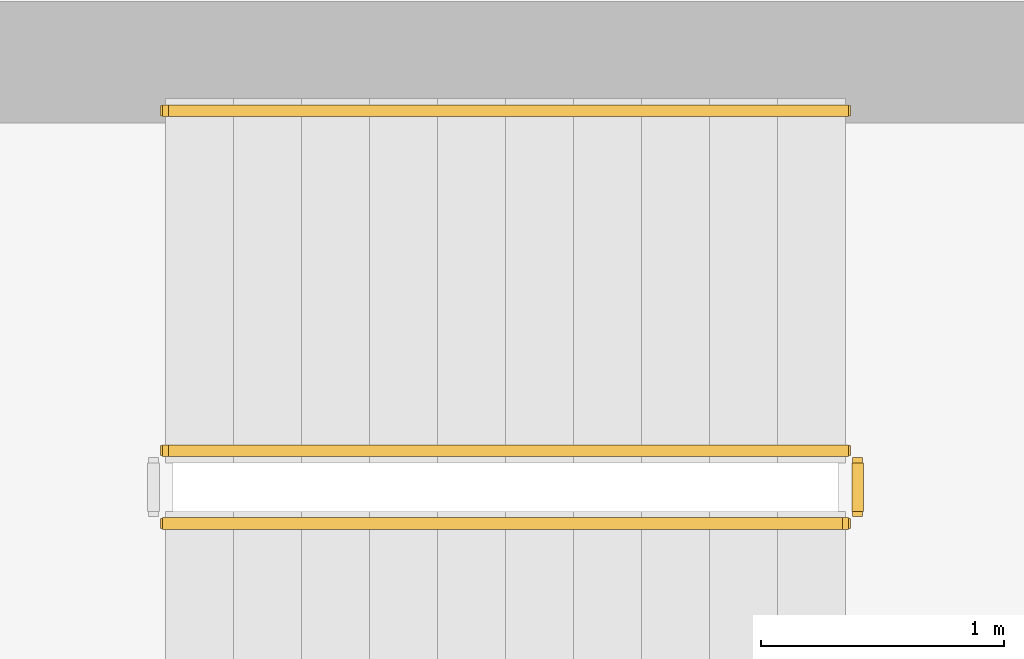
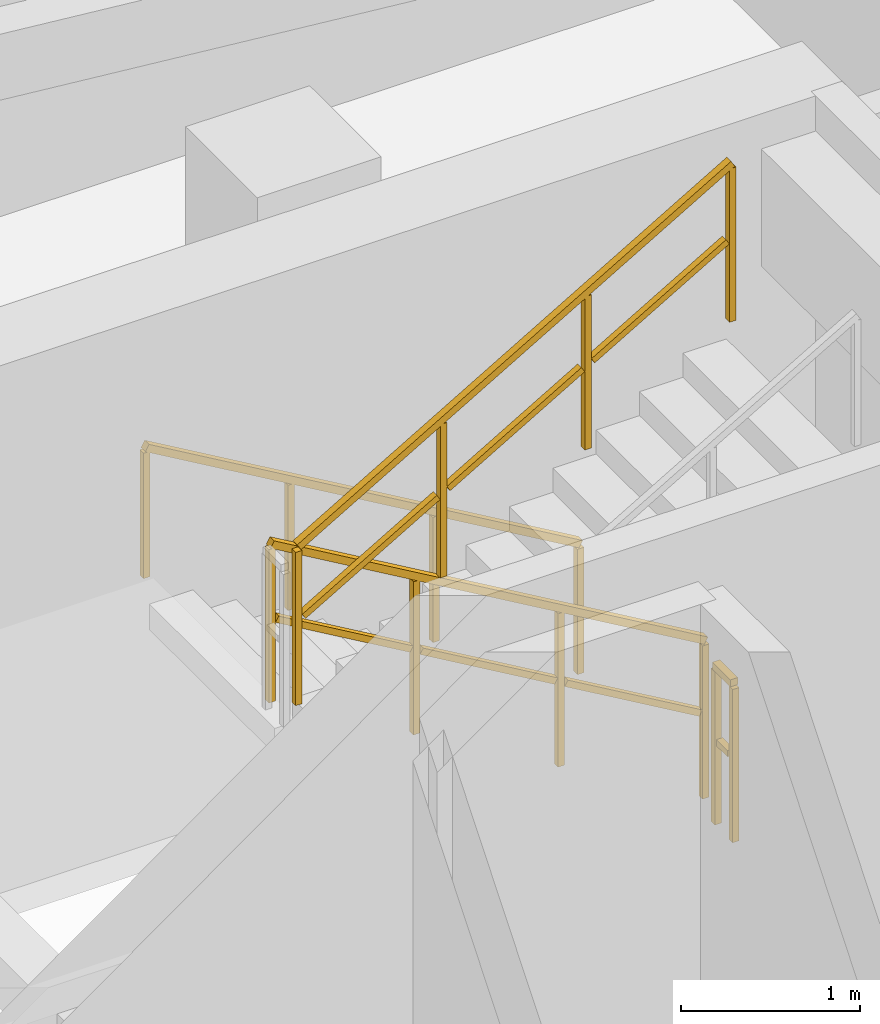
# One storey, part 32 of 34: 4 railings.
"""IFC4 building model written with IfcOpenShell, lengths in metres."""

from ifc_helpers import new_model, si_unit, direction, frame, origin, origin_2d, place, context, subcontext, project, spatial, rectangle, extrude, material, type_object, element, save


model = new_model("IFC4")

# Units and contexts
model_context = context("Model", 3, precision=1e-05, world=origin(), true_north=direction((0.0, 1.0)))
body_context = subcontext(model_context, "Body", "Model", "MODEL_VIEW")
ifc_project = project(units=[si_unit("LENGTHUNIT", "METRE"), si_unit("AREAUNIT", "SQUARE_METRE"), si_unit("VOLUMEUNIT", "CUBIC_METRE"), si_unit("PLANEANGLEUNIT", "RADIAN"), si_unit("MASSUNIT", "GRAM", prefix="KILO")], contexts=[model_context])

# Site, building, storey
site_placement = place(None, origin())
site = spatial("IfcSite", under=ifc_project, at=site_placement, CompositionType="ELEMENT")
building_placement = place(site_placement, origin())
building = spatial("IfcBuilding", under=site, at=building_placement, Name="Thornwick Lancets Civic Towers", CompositionType="ELEMENT")
storey_placement = place(building_placement, frame((0.0, 0.0, 258.300048828125)))
storey = spatial("IfcBuildingStorey", under=building, at=storey_placement, Name="L69", CompositionType="ELEMENT", Elevation=258.300048828125)

# Railings
ifc_material_1 = material(Name="Brushed stainless steel S355", Category="steel")
railing_type_1 = type_object("IfcRailingType", Name="RAIL_HANDRAIL", PredefinedType="HANDRAIL", material=ifc_material_1)
railing_1_placement = place(storey_placement, frame((31.60009765625, 38.949951171875, 0.16357421875)))
element("IfcRailing", 1, at=railing_1_placement, inside=storey, type_object=railing_type_1, Name="L69 ST-A2 stair handrail 1", PredefinedType="HANDRAIL", context=body_context, shape_type="SweptSolid", body=[
    extrude(rectangle(XDim=0.048095703125, YDim=0.048095703125, at=origin_2d()), frame((0.0, 0.0, 0.8857421875), z_axis=(-0.863360870873, 0.0, 0.504586966384), x_axis=(0.0, -1.0, 0.0)), (0.0, 0.0, 1.0), 3.2431640625),
    extrude(rectangle(XDim=0.0419921875, YDim=0.0419921875, at=origin_2d()), origin(), (0.0, 0.0, 1.0), 0.855712890625),
    extrude(rectangle(XDim=0.0419921875, YDim=0.0419921875, at=origin_2d()), frame((-0.933349609375, 0.0, 0.54541015625)), (0.0, 0.0, 1.0), 0.855712890625),
    extrude(rectangle(XDim=0.0419921875, YDim=0.0419921875, at=origin_2d()), frame((-1.86669921875, 0.0, 1.091064453125)), (0.0, 0.0, 1.0), 0.855712890625),
    extrude(rectangle(XDim=0.0419921875, YDim=0.0419921875, at=origin_2d()), frame((-2.800048828125, 0.0, 1.636474609375)), (0.0, 0.0, 1.0), 0.855712890625),
])
ifc_material_2 = material(Name="Steel S355JR", Category="steel")
railing_type_2 = type_object("IfcRailingType", Name="RAIL_STAIR_GUARD", PredefinedType="GUARDRAIL", material=ifc_material_2)
railing_2_placement = place(storey_placement, frame((31.60009765625, 37.550048828125, 0.16357421875)))
element("IfcRailing", 2, at=railing_2_placement, inside=storey, type_object=railing_type_2, Name="L69 ST-A2 stair guard 1", PredefinedType="GUARDRAIL", context=body_context, shape_type="SweptSolid", body=[
    extrude(rectangle(XDim=0.048095703125, YDim=0.048095703125, at=origin_2d()), frame((0.0, 0.0, 1.076171875), z_axis=(-0.863360870873, 0.0, 0.504586966384), x_axis=(0.0, -1.0, 0.0)), (0.0, 0.0, 1.0), 3.2431640625),
    extrude(rectangle(XDim=0.0419921875, YDim=0.0419921875, at=origin_2d()), frame((-0.032470703125, 0.0, 0.591064453125), z_axis=(-0.863360870873, 0.0, 0.504586966384), x_axis=(0.0, -1.0, 0.0)), (0.0, 0.0, 1.0), 1.006103515625),
    extrude(rectangle(XDim=0.0419921875, YDim=0.0419921875, at=origin_2d()), frame((-0.9658203125, 0.0, 1.136474609375), z_axis=(-0.863360870873, 0.0, 0.504586966384), x_axis=(0.0, -1.0, 0.0)), (0.0, 0.0, 1.0), 1.006103515625),
    extrude(rectangle(XDim=0.0419921875, YDim=0.0419921875, at=origin_2d()), frame((-1.899169921875, 0.0, 1.681884765625), z_axis=(-0.863360870873, 0.0, 0.504586966384), x_axis=(0.0, -1.0, 0.0)), (0.0, 0.0, 1.0), 1.006103515625),
    extrude(rectangle(XDim=0.0419921875, YDim=0.0419921875, at=origin_2d()), origin(), (0.0, 0.0, 1.0), 1.0458984375),
    extrude(rectangle(XDim=0.0419921875, YDim=0.0419921875, at=origin_2d()), frame((-0.933349609375, 0.0, 0.54541015625)), (0.0, 0.0, 1.0), 1.0458984375),
    extrude(rectangle(XDim=0.0419921875, YDim=0.0419921875, at=origin_2d()), frame((-1.86669921875, 0.0, 1.091064453125)), (0.0, 0.0, 1.0), 1.0458984375),
    extrude(rectangle(XDim=0.0419921875, YDim=0.0419921875, at=origin_2d()), frame((-2.800048828125, 0.0, 1.636474609375)), (0.0, 0.0, 1.0), 1.0458984375),
])
railing_3_placement = place(storey_placement, frame((28.800048828125, 37.25, 1.963623046875)))
element("IfcRailing", 3, at=railing_3_placement, inside=storey, type_object=railing_type_2, Name="L69 ST-A2 stair guard 3", PredefinedType="GUARDRAIL", context=body_context, shape_type="SweptSolid", body=[
    extrude(rectangle(XDim=0.048095703125, YDim=0.048095703125, at=origin_2d()), frame((0.0, 0.0, 1.076171875), z_axis=(0.863393664356, 0.0, 0.504530851732), x_axis=(0.0, 1.0, 0.0)), (0.0, 0.0, 1.0), 3.2431640625),
    extrude(rectangle(XDim=0.0419921875, YDim=0.0419921875, at=origin_2d()), frame((0.032470703125, 0.0, 0.591064453125), z_axis=(0.863393664356, 0.0, 0.504530851732), x_axis=(0.0, 1.0, 0.0)), (0.0, 0.0, 1.0), 1.006103515625),
    extrude(rectangle(XDim=0.0419921875, YDim=0.0419921875, at=origin_2d()), frame((0.9658203125, 0.0, 1.136474609375), z_axis=(0.863393664356, 0.0, 0.504530851732), x_axis=(0.0, 1.0, 0.0)), (0.0, 0.0, 1.0), 1.006103515625),
    extrude(rectangle(XDim=0.0419921875, YDim=0.0419921875, at=origin_2d()), frame((1.899169921875, 0.0, 1.681884765625), z_axis=(0.863393664356, 0.0, 0.504530851732), x_axis=(0.0, 1.0, 0.0)), (0.0, 0.0, 1.0), 1.006103515625),
    extrude(rectangle(XDim=0.0419921875, YDim=0.0419921875, at=origin_2d()), origin(), (0.0, 0.0, 1.0), 1.0458984375),
    extrude(rectangle(XDim=0.0419921875, YDim=0.0419921875, at=origin_2d()), frame((0.933349609375, 0.0, 0.54541015625)), (0.0, 0.0, 1.0), 1.0458984375),
    extrude(rectangle(XDim=0.0419921875, YDim=0.0419921875, at=origin_2d()), frame((1.86669921875, 0.0, 1.0908203125)), (0.0, 0.0, 1.0), 1.0458984375),
    extrude(rectangle(XDim=0.0419921875, YDim=0.0419921875, at=origin_2d()), frame((2.800048828125, 0.0, 1.63623046875)), (0.0, 0.0, 1.0), 1.0458984375),
])
railing_4_placement = place(storey_placement, frame((31.64990234375, 37.5, 0.0)))
element("IfcRailing", 4, at=railing_4_placement, inside=storey, type_object=railing_type_2, Name="L69 ST-A2 stair guard 4", PredefinedType="GUARDRAIL", context=body_context, shape_type="SweptSolid", body=[
    extrude(rectangle(XDim=0.048095703125, YDim=0.048095703125, at=origin_2d()), frame((0.0, 0.0, 1.076171875), z_axis=(0.0, -1.0, 0.0), x_axis=(1.0, 0.0, 0.0)), (0.0, 0.0, 1.0), 0.199951171875),
    extrude(rectangle(XDim=0.0419921875, YDim=0.0419921875, at=origin_2d()), frame((0.0, -0.03759765625, 0.572021484375), z_axis=(0.0, -1.0, 0.0), x_axis=(1.0, 0.0, 0.0)), (0.0, 0.0, 1.0), 0.125),
    extrude(rectangle(XDim=0.0419921875, YDim=0.0419921875, at=origin_2d()), origin(), (0.0, 0.0, 1.0), 1.0458984375),
    extrude(rectangle(XDim=0.0419921875, YDim=0.0419921875, at=origin_2d()), frame((0.0, -0.199951171875, 0.0)), (0.0, 0.0, 1.0), 1.0458984375),
])

save(model, "model.ifc")
